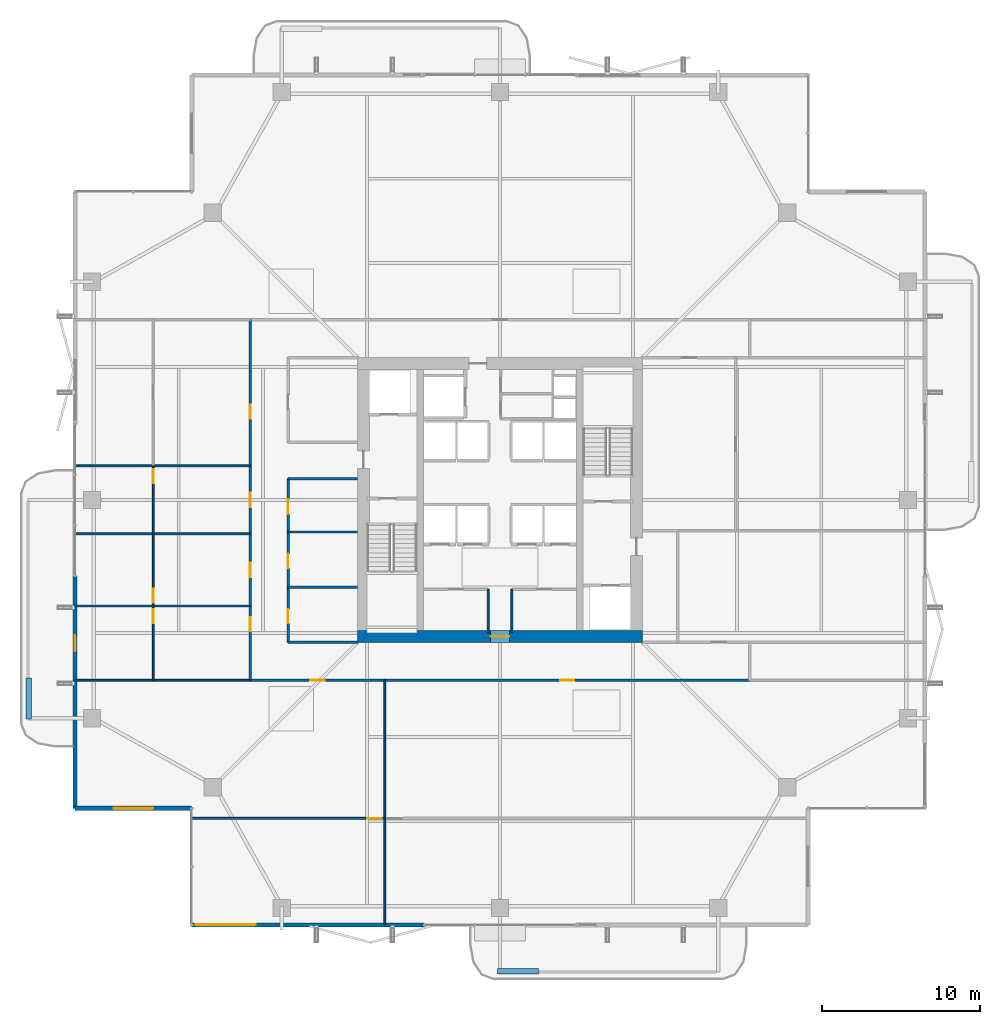
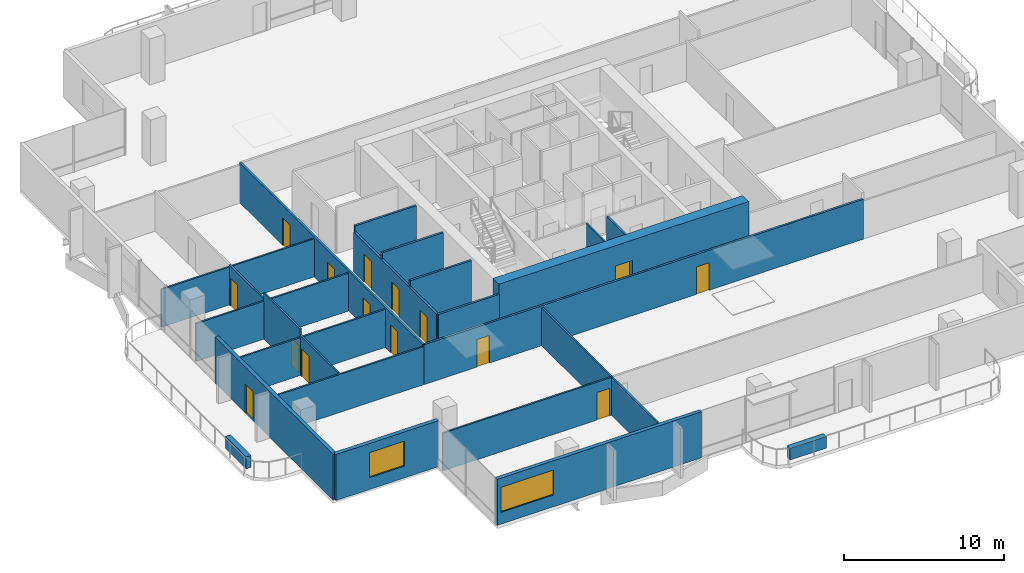
# One storey, part 22 of 29: 24 walls, 15 doors, 2 windows, 17 openings.
"""IFC4 building model written with IfcOpenShell, lengths in metres."""

from ifc_helpers import new_model, si_unit, direction, frame, frame_2d, origin, place, context, subcontext, project, spatial, rectangle, extrude, material, layer, layer_set, type_object, element, fill, save


model = new_model("IFC4")

# Units and contexts
model_context = context("Model", 3, precision=1e-05, world=origin(), true_north=direction((0.0, 1.0)))
body_context = subcontext(model_context, "Body", "Model", "MODEL_VIEW")
ifc_project = project(units=[si_unit("LENGTHUNIT", "METRE"), si_unit("AREAUNIT", "SQUARE_METRE"), si_unit("VOLUMEUNIT", "CUBIC_METRE"), si_unit("PLANEANGLEUNIT", "RADIAN"), si_unit("MASSUNIT", "GRAM", prefix="KILO")], contexts=[model_context])

# Site, building, storey
site_placement = place(None, origin())
site = spatial("IfcSite", under=ifc_project, at=site_placement, CompositionType="ELEMENT")
building_placement = place(site_placement, origin())
building = spatial("IfcBuilding", under=site, at=building_placement, Name="Belovzor Exchange Tower", CompositionType="ELEMENT")
storey_placement = place(building_placement, frame((0.0, 0.0, 199.949951171875)))
storey = spatial("IfcBuildingStorey", under=building, at=storey_placement, Name="L49", CompositionType="ELEMENT", Elevation=199.949951171875)

# Wall, opening, door
ifc_material_1 = material(Name="Acoustic Plasterboard on Galvanised Studs", Category="gypsum")
ifc_layer_1 = layer(ifc_material_1, 0.1201171875)
ifc_layer_set_1 = layer_set([ifc_layer_1], Name="Acoustic Plasterboard on Galvanised Studs")
wall_type_1 = type_object("IfcWallType", Name="Acoustic Double-Stud Partition Wall 120", PredefinedType="PARTITIONING", material=ifc_layer_set_1)
wall_1_placement = place(storey_placement, frame((9.300048828125, 8.6650390625, 0.0), z_axis=(0.0, 0.0, 1.0), x_axis=(1.0, 0.0, 0.0)))
wall_1 = element("IfcWall", 1, at=wall_1_placement, inside=storey, type_object=wall_type_1, Name="W-P120 Partition Wall W-L49-SHDIV-0", PredefinedType="PARTITIONING", context=body_context, shape_type="SweptSolid", body=[
    extrude(rectangle(XDim=12.2099609375, YDim=0.1201171875, at=frame_2d((6.10498046875, 0.0))), origin(), (0.0, 0.0, 1.0), 2.885009765625),
])
opening_1_placement = place(wall_1_placement, frame((11.110107421875, 0.0, 0.0)))
opening_1 = element("IfcOpeningElement", 2, at=opening_1_placement, cuts=wall_1, Name="Opening D-INT-090", PredefinedType="OPENING", context=body_context, shape_type="SweptSolid", body=[
    extrude(rectangle(XDim=0.89990234375, YDim=2.10009765625, at=frame_2d((0.449951171875, 1.050048828125))), frame((0.0, 0.070068359375, 0.0), z_axis=(0.0, -1.0, 0.0), x_axis=(1.0, 0.0, 0.0)), (0.0, 0.0, 1.0), 0.14013671875),
])
ifc_material_2 = material(Name="Veneered Hardwood Acoustic Leaf", Category="wood")
door_type_1 = type_object("IfcDoorType", Name="Trading Suite Acoustic Single Door 900x2100", OperationType="NOTDEFINED", PredefinedType="DOOR", material=ifc_material_2)
door_1_placement = place(opening_1_placement, origin())
door_1 = element("IfcDoor", 3, at=door_1_placement, inside=storey, type_object=door_type_1, Name="D-INT-090 Trading Suite Acoustic Single Door 900x2100", OperationType="SINGLE_SWING_LEFT", OverallHeight=2.10009765625, OverallWidth=0.89990234375, PredefinedType="DOOR", context=body_context, shape_type="SweptSolid", body=[
    extrude(rectangle(XDim=0.89990234375, YDim=2.10009765625, at=frame_2d((0.449951171875, 1.050048828125))), frame((0.0, 0.02490234375, 0.0), z_axis=(0.0, -1.0, 0.0), x_axis=(1.0, 0.0, 0.0)), (0.0, 0.0, 1.0), 0.050048828125),
])
fill(opening_1, door_1)

# Wall
wall_2_placement = place(storey_placement, frame((21.510009765625, 1.929931640625, 0.0), z_axis=(0.0, 0.0, 1.0), x_axis=(0.0, 1.0, 0.0)))
element("IfcWall", 4, at=wall_2_placement, inside=storey, type_object=wall_type_1, Name="W-P120 Partition Wall W-L49-SDIV-1", PredefinedType="PARTITIONING", context=body_context, shape_type="SweptSolid", body=[
    extrude(rectangle(XDim=15.469970703125, YDim=0.1201171875, at=frame_2d((7.73486328125, 0.0))), origin(), (0.0, 0.0, 1.0), 2.885009765625),
])

# Wall, opening, door
wall_3_placement = place(storey_placement, frame((6.876953125, 17.39990234375, 0.0), z_axis=(0.0, 0.0, 1.0), x_axis=(0.0, 1.0, 0.0)))
wall_3 = element("IfcWall", 5, at=wall_3_placement, inside=storey, type_object=wall_type_1, Name="W-P120 Partition Wall W-L49-WHDIV-0", PredefinedType="PARTITIONING", context=body_context, shape_type="SweptSolid", body=[
    extrude(rectangle(XDim=4.7001953125, YDim=0.1201171875, at=frame_2d((2.35009765625, 0.0))), origin(), (0.0, 0.0, 1.0), 3.03515625),
])
opening_2_placement = place(wall_3_placement, frame((3.60009765625, 0.0, 0.0)))
opening_2 = element("IfcOpeningElement", 6, at=opening_2_placement, cuts=wall_3, Name="Opening D-INT-090", PredefinedType="OPENING", context=body_context, shape_type="SweptSolid", body=[
    extrude(rectangle(XDim=0.89990234375, YDim=2.10009765625, at=frame_2d((0.449951171875, 1.050048828125))), frame((0.0, 0.070068359375, 0.0), z_axis=(0.0, -1.0, 0.0), x_axis=(1.0, 0.0, 0.0)), (0.0, 0.0, 1.0), 0.14013671875),
])
door_2_placement = place(opening_2_placement, origin())
door_2 = element("IfcDoor", 7, at=door_2_placement, inside=storey, type_object=door_type_1, Name="D-INT-090 Trading Suite Acoustic Single Door 900x2100", OperationType="SINGLE_SWING_LEFT", OverallHeight=2.10009765625, OverallWidth=0.89990234375, PredefinedType="DOOR", context=body_context, shape_type="SweptSolid", body=[
    extrude(rectangle(XDim=0.89990234375, YDim=2.10009765625, at=frame_2d((0.449951171875, 1.050048828125))), frame((0.0, 0.02490234375, 0.0), z_axis=(0.0, -1.0, 0.0), x_axis=(1.0, 0.0, 0.0)), (0.0, 0.0, 1.0), 0.050048828125),
])
fill(opening_2, door_2)

# Wall
wall_4_placement = place(storey_placement, frame((1.929931640625, 22.10009765625, 0.0), z_axis=(0.0, 0.0, 1.0), x_axis=(1.0, 0.0, 0.0)))
element("IfcWall", 8, at=wall_4_placement, inside=storey, type_object=wall_type_1, Name="W-P120 Partition Wall W-L49-WDIV-1", PredefinedType="PARTITIONING", context=body_context, shape_type="SweptSolid", body=[
    extrude(rectangle(XDim=11.070068359375, YDim=0.1201171875, at=frame_2d((5.53515625, 0.0))), origin(), (0.0, 0.0, 1.0), 2.885009765625),
])

# Wall, opening, door
wall_5_placement = place(storey_placement, frame((6.876953125, 22.10009765625, 0.0), z_axis=(0.0, 0.0, 1.0), x_axis=(0.0, 1.0, 0.0)))
wall_5 = element("IfcWall", 9, at=wall_5_placement, inside=storey, type_object=wall_type_1, Name="W-P120 Partition Wall W-L49-WHDIV-1", PredefinedType="PARTITIONING", context=body_context, shape_type="SweptSolid", body=[
    extrude(rectangle(XDim=4.557861328125, YDim=0.1201171875, at=frame_2d((2.27880859375, 0.0))), origin(), (0.0, 0.0, 1.0), 3.5),
])
opening_3_placement = place(wall_5_placement, frame((0.199951171875, 0.0, 0.0)))
opening_3 = element("IfcOpeningElement", 10, at=opening_3_placement, cuts=wall_5, Name="Opening D-INT-090", PredefinedType="OPENING", context=body_context, shape_type="SweptSolid", body=[
    extrude(rectangle(XDim=0.89990234375, YDim=2.10009765625, at=frame_2d((0.449951171875, 1.050048828125))), frame((0.0, 0.070068359375, 0.0), z_axis=(0.0, -1.0, 0.0), x_axis=(1.0, 0.0, 0.0)), (0.0, 0.0, 1.0), 0.14013671875),
])
door_3_placement = place(opening_3_placement, origin())
door_3 = element("IfcDoor", 11, at=door_3_placement, inside=storey, type_object=door_type_1, Name="D-INT-090 Trading Suite Acoustic Single Door 900x2100", OperationType="SINGLE_SWING_LEFT", OverallHeight=2.10009765625, OverallWidth=0.89990234375, PredefinedType="DOOR", context=body_context, shape_type="SweptSolid", body=[
    extrude(rectangle(XDim=0.89990234375, YDim=2.10009765625, at=frame_2d((0.449951171875, 1.050048828125))), frame((0.0, 0.02490234375, 0.0), z_axis=(0.0, -1.0, 0.0), x_axis=(1.0, 0.0, 0.0)), (0.0, 0.0, 1.0), 0.050048828125),
])
fill(opening_3, door_3)

# Wall
wall_6_placement = place(storey_placement, frame((1.929931640625, 26.657958984375, 0.0), z_axis=(0.0, 0.0, 1.0), x_axis=(1.0, 0.0, 0.0)))
element("IfcWall", 12, at=wall_6_placement, inside=storey, type_object=wall_type_1, Name="W-P120 Partition Wall W-L49-WDIV-2", PredefinedType="PARTITIONING", context=body_context, shape_type="SweptSolid", body=[
    extrude(rectangle(XDim=11.070068359375, YDim=0.1201171875, at=frame_2d((5.53515625, 0.0))), origin(), (0.0, 0.0, 1.0), 2.885009765625),
])

# Wall, opening, door
wall_7_placement = place(storey_placement, frame((6.876953125, 26.657958984375, 0.0), z_axis=(0.0, 0.0, 1.0), x_axis=(0.0, 1.0, 0.0)))
wall_7 = element("IfcWall", 13, at=wall_7_placement, inside=storey, type_object=wall_type_1, Name="W-P120 Partition Wall W-L49-WHDIV-2", PredefinedType="PARTITIONING", context=body_context, shape_type="SweptSolid", body=[
    extrude(rectangle(XDim=4.297119140625, YDim=0.1201171875, at=frame_2d((2.1484375, 0.0))), origin(), (0.0, 0.0, 1.0), 3.03515625),
])
opening_4_placement = place(wall_7_placement, frame((3.197021484375, 0.0, 0.0)))
opening_4 = element("IfcOpeningElement", 14, at=opening_4_placement, cuts=wall_7, Name="Opening D-INT-090", PredefinedType="OPENING", context=body_context, shape_type="SweptSolid", body=[
    extrude(rectangle(XDim=0.89990234375, YDim=2.10009765625, at=frame_2d((0.449951171875, 1.050048828125))), frame((0.0, 0.070068359375, 0.0), z_axis=(0.0, -1.0, 0.0), x_axis=(1.0, 0.0, 0.0)), (0.0, 0.0, 1.0), 0.14013671875),
])
door_4_placement = place(opening_4_placement, origin())
door_4 = element("IfcDoor", 15, at=door_4_placement, inside=storey, type_object=door_type_1, Name="D-INT-090 Trading Suite Acoustic Single Door 900x2100", OperationType="SINGLE_SWING_LEFT", OverallHeight=2.10009765625, OverallWidth=0.89990234375, PredefinedType="DOOR", context=body_context, shape_type="SweptSolid", body=[
    extrude(rectangle(XDim=0.89990234375, YDim=2.10009765625, at=frame_2d((0.449951171875, 1.050048828125))), frame((0.0, 0.02490234375, 0.0), z_axis=(0.0, -1.0, 0.0), x_axis=(1.0, 0.0, 0.0)), (0.0, 0.0, 1.0), 0.050048828125),
])
fill(opening_4, door_4)

# Walls
for number, where, z_axis, x_axis, name in (
    (16, (1.929931640625, 30.955078125, 0.0), (0.0, 0.0, 1.0), (1.0, 0.0, 0.0), "W-P120 Partition Wall W-L49-WDIV-3"),
    (17, (1.929931640625, 17.39990234375, 0.0), (0.0, 0.0, 1.0), (1.0, 0.0, 0.0), "W-P120 Partition Wall W-L49-END-SW"),
):
    element("IfcWall", number, at=place(storey_placement, frame(where, z_axis=z_axis, x_axis=x_axis)), inside=storey, type_object=wall_type_1, Name=name, PredefinedType="PARTITIONING", context=body_context, shape_type="SweptSolid", body=[
        extrude(rectangle(XDim=11.070068359375, YDim=0.1201171875, at=frame_2d((5.53515625, 0.0))), origin(), (0.0, 0.0, 1.0), 2.885009765625),
    ])
ifc_material_3 = material(Name="Fire-Rated Plasterboard on Galvanised Studs", Category="gypsum")
ifc_layer_2 = layer(ifc_material_3, 0.1201171875)
ifc_layer_set_2 = layer_set([ifc_layer_2], Name="Fire-Rated Plasterboard on Galvanised Studs")
wall_type_2 = type_object("IfcWallType", Name="Fire-Rated Double-Stud Partition Wall 120", PredefinedType="PARTITIONING", material=ifc_layer_set_2)
for number, where, z_axis, x_axis, name in (
    (18, (28.050048828125, 20.39990234375, 0.0), (0.0, 0.0, 1.0), (0.0, 1.0, 0.0), "W-P120F Partition Wall W-CRL-L49-WE"),
    (19, (29.550048828125, 20.39990234375, 0.0), (0.0, 0.0, 1.0), (0.0, 1.0, 0.0), "W-P120F Partition Wall W-CRL-L49-EW"),
):
    element("IfcWall", number, at=place(storey_placement, frame(where, z_axis=z_axis, x_axis=x_axis)), inside=storey, type_object=wall_type_2, Name=name, PredefinedType="PARTITIONING", context=body_context, shape_type="SweptSolid", body=[
        extrude(rectangle(XDim=2.75, YDim=0.1201171875, at=frame_2d((1.375, 0.0))), origin(), (0.0, 0.0, 1.0), 3.5),
    ])
ifc_material_4 = material(Name="Fire-Rated Gypsum Block and Mineral Wool", Category="gypsum")
ifc_layer_3 = layer(ifc_material_4, 0.14990234375)
ifc_layer_set_3 = layer_set([ifc_layer_3], Name="Fire-Rated Gypsum Block and Mineral Wool")
wall_type_3 = type_object("IfcWallType", Name="Fire-Rated Gypsum Block Corridor Wall 150", PredefinedType="PARTITIONING", material=ifc_layer_set_3)
wall_8_placement = place(storey_placement, frame((15.39990234375, 19.800048828125, 0.0), z_axis=(0.0, 0.0, 1.0), x_axis=(1.0, 0.0, 0.0)))
element("IfcWall", 20, at=wall_8_placement, inside=storey, type_object=wall_type_3, Name="W-P150 Partition Wall W-L49-WIC-S", PredefinedType="PARTITIONING", context=body_context, shape_type="SweptSolid", body=[
    extrude(rectangle(XDim=4.400146484375, YDim=0.14990234375, at=frame_2d((2.2001953125, 0.0))), origin(), (0.0, 0.0, 1.0), 3.03515625),
])
for number, where, z_axis, x_axis, name in (
    (21, (15.39990234375, 23.27490234375, 0.0), (0.0, 0.0, 1.0), (1.0, 0.0, 0.0), "W-P150 Partition Wall W-L49-WIC-D1"),
    (22, (15.39990234375, 26.77490234375, 0.0), (0.0, 0.0, 1.0), (1.0, 0.0, 0.0), "W-P150 Partition Wall W-L49-WIC-D2"),
    (23, (15.39990234375, 30.14990234375, 0.0), (0.0, 0.0, 1.0), (1.0, 0.0, 0.0), "W-P150 Partition Wall W-L49-WIC-N"),
):
    element("IfcWall", number, at=place(storey_placement, frame(where, z_axis=z_axis, x_axis=x_axis)), inside=storey, type_object=wall_type_3, Name=name, PredefinedType="PARTITIONING", context=body_context, shape_type="SweptSolid", body=[
        extrude(rectangle(XDim=4.400146484375, YDim=0.14990234375, at=frame_2d((2.2001953125, 0.0))), origin(), (0.0, 0.0, 1.0), 3.5),
    ])

# Wall, openings, doors
wall_9_placement = place(storey_placement, frame((15.39990234375, 19.800048828125, 0.0), z_axis=(0.0, 0.0, 1.0), x_axis=(0.0, 1.0, 0.0)))
wall_9 = element("IfcWall", 24, at=wall_9_placement, inside=storey, type_object=wall_type_3, Name="W-P150 Partition Wall W-L49-WIE-S", PredefinedType="PARTITIONING", context=body_context, shape_type="SweptSolid", body=[
    extrude(rectangle(XDim=10.349853515625, YDim=0.14990234375, at=frame_2d((5.1748046875, 0.0))), origin(), (0.0, 0.0, 1.0), 3.03515625),
])
opening_5_placement = place(wall_9_placement, frame((1.199951171875, 0.0, 0.0)))
opening_5 = element("IfcOpeningElement", 25, at=opening_5_placement, cuts=wall_9, Name="Opening D-FD60-090", PredefinedType="OPENING", context=body_context, shape_type="SweptSolid", body=[
    extrude(rectangle(XDim=0.89990234375, YDim=2.10009765625, at=frame_2d((0.449951171875, 1.050048828125))), frame((0.0, 0.0849609375, 0.0), z_axis=(0.0, -1.0, 0.0), x_axis=(1.0, 0.0, 0.0)), (0.0, 0.0, 1.0), 0.169921875),
])
opening_6_placement = place(wall_9_placement, frame((4.699951171875, 0.0, 0.0)))
opening_6 = element("IfcOpeningElement", 26, at=opening_6_placement, cuts=wall_9, Name="Opening D-FD60-090", PredefinedType="OPENING", context=body_context, shape_type="SweptSolid", body=[
    extrude(rectangle(XDim=0.89990234375, YDim=2.10009765625, at=frame_2d((0.449951171875, 1.050048828125))), frame((0.0, 0.0849609375, 0.0), z_axis=(0.0, -1.0, 0.0), x_axis=(1.0, 0.0, 0.0)), (0.0, 0.0, 1.0), 0.169921875),
])
opening_7_placement = place(wall_9_placement, frame((8.10009765625, 0.0, 0.0)))
opening_7 = element("IfcOpeningElement", 27, at=opening_7_placement, cuts=wall_9, Name="Opening D-FD60-095", PredefinedType="OPENING", context=body_context, shape_type="SweptSolid", body=[
    extrude(rectangle(XDim=0.949951171875, YDim=2.10009765625, at=frame_2d((0.47509765625, 1.050048828125))), frame((0.0, 0.0849609375, 0.0), z_axis=(0.0, -1.0, 0.0), x_axis=(1.0, 0.0, 0.0)), (0.0, 0.0, 1.0), 0.169921875),
])
ifc_material_5 = material(Name="Moisture-Resistant Timber Fire Leaf", Category="wood")
door_type_2 = type_object("IfcDoorType", Name="Accessible Restroom Wide Fire Door 950x2100", OperationType="NOTDEFINED", PredefinedType="DOOR", material=ifc_material_5)
door_5_placement = place(opening_7_placement, origin())
door_5 = element("IfcDoor", 28, at=door_5_placement, inside=storey, type_object=door_type_2, Name="D-FD60-095 Accessible Restroom Wide Fire Door 950x2100", OperationType="SINGLE_SWING_LEFT", OverallHeight=2.10009765625, OverallWidth=0.949951171875, PredefinedType="DOOR", context=body_context, shape_type="SweptSolid", body=[
    extrude(rectangle(XDim=0.949951171875, YDim=2.10009765625, at=frame_2d((0.47509765625, 1.050048828125))), frame((0.0, 0.02490234375, 0.0), z_axis=(0.0, -1.0, 0.0), x_axis=(1.0, 0.0, 0.0)), (0.0, 0.0, 1.0), 0.050048828125),
])
fill(opening_7, door_5)
ifc_material_6 = material(Name="Acoustic Timber Fire Leaf", Category="wood")
door_type_3 = type_object("IfcDoorType", Name="Core Service & Restroom Fire Door 900x2100", OperationType="NOTDEFINED", PredefinedType="DOOR", material=ifc_material_6)
door_6_placement = place(opening_5_placement, origin())
door_6 = element("IfcDoor", 29, at=door_6_placement, inside=storey, type_object=door_type_3, Name="D-FD60-090 Core Service & Restroom Fire Door 900x2100", OperationType="SINGLE_SWING_LEFT", OverallHeight=2.10009765625, OverallWidth=0.89990234375, PredefinedType="DOOR", context=body_context, shape_type="SweptSolid", body=[
    extrude(rectangle(XDim=0.89990234375, YDim=2.10009765625, at=frame_2d((0.449951171875, 1.050048828125))), frame((0.0, 0.02490234375, 0.0), z_axis=(0.0, -1.0, 0.0), x_axis=(1.0, 0.0, 0.0)), (0.0, 0.0, 1.0), 0.050048828125),
])
fill(opening_5, door_6)
door_7_placement = place(opening_6_placement, origin())
door_7 = element("IfcDoor", 30, at=door_7_placement, inside=storey, type_object=door_type_3, Name="D-FD60-090 Core Service & Restroom Fire Door 900x2100", OperationType="SINGLE_SWING_RIGHT", OverallHeight=2.10009765625, OverallWidth=0.89990234375, PredefinedType="DOOR", context=body_context, shape_type="SweptSolid", body=[
    extrude(rectangle(XDim=0.89990234375, YDim=2.10009765625, at=frame_2d((0.449951171875, 1.050048828125))), frame((0.0, 0.02490234375, 0.0), z_axis=(0.0, -1.0, 0.0), x_axis=(1.0, 0.0, 0.0)), (0.0, 0.0, 1.0), 0.050048828125),
])
fill(opening_6, door_7)

wall_10_placement = place(storey_placement, frame((13.0, 17.39990234375, 0.0), z_axis=(0.0, 0.0, 1.0), x_axis=(1.0, 0.0, 0.0)))
wall_10 = element("IfcWall", 31, at=wall_10_placement, inside=storey, type_object=wall_type_3, Name="W-P150 Partition Wall W-L49-CS", PredefinedType="PARTITIONING", context=body_context, shape_type="SweptSolid", body=[
    extrude(rectangle(XDim=31.60009765625, YDim=0.14990234375, at=frame_2d((15.800048828125, 0.0))), origin(), (0.0, 0.0, 1.0), 3.03515625),
])
opening_8_placement = place(wall_10_placement, frame((3.804931640625, 0.0, 0.0)))
opening_8 = element("IfcOpeningElement", 32, at=opening_8_placement, cuts=wall_10, Name="Opening D-INT-090", PredefinedType="OPENING", context=body_context, shape_type="SweptSolid", body=[
    extrude(rectangle(XDim=0.89990234375, YDim=2.10009765625, at=frame_2d((0.449951171875, 1.050048828125))), frame((0.0, 0.0849609375, 0.0), z_axis=(0.0, -1.0, 0.0), x_axis=(1.0, 0.0, 0.0)), (0.0, 0.0, 1.0), 0.169921875),
])
opening_9_placement = place(wall_10_placement, frame((19.60498046875, 0.0, 0.0)))
opening_9 = element("IfcOpeningElement", 33, at=opening_9_placement, cuts=wall_10, Name="Opening D-INT-090", PredefinedType="OPENING", context=body_context, shape_type="SweptSolid", body=[
    extrude(rectangle(XDim=0.89990234375, YDim=2.10009765625, at=frame_2d((0.449951171875, 1.050048828125))), frame((0.0, 0.0849609375, 0.0), z_axis=(0.0, -1.0, 0.0), x_axis=(1.0, 0.0, 0.0)), (0.0, 0.0, 1.0), 0.169921875),
])
door_8_placement = place(opening_8_placement, origin())
door_8 = element("IfcDoor", 34, at=door_8_placement, inside=storey, type_object=door_type_1, Name="D-INT-090 Trading Suite Acoustic Single Door 900x2100", OperationType="SINGLE_SWING_RIGHT", OverallHeight=2.10009765625, OverallWidth=0.89990234375, PredefinedType="DOOR", context=body_context, shape_type="SweptSolid", body=[
    extrude(rectangle(XDim=0.89990234375, YDim=2.10009765625, at=frame_2d((0.449951171875, 1.050048828125))), frame((0.0, 0.02490234375, 0.0), z_axis=(0.0, -1.0, 0.0), x_axis=(1.0, 0.0, 0.0)), (0.0, 0.0, 1.0), 0.050048828125),
])
fill(opening_8, door_8)
door_9_placement = place(opening_9_placement, origin())
door_9 = element("IfcDoor", 35, at=door_9_placement, inside=storey, type_object=door_type_1, Name="D-INT-090 Trading Suite Acoustic Single Door 900x2100", OperationType="SINGLE_SWING_LEFT", OverallHeight=2.10009765625, OverallWidth=0.89990234375, PredefinedType="DOOR", context=body_context, shape_type="SweptSolid", body=[
    extrude(rectangle(XDim=0.89990234375, YDim=2.10009765625, at=frame_2d((0.449951171875, 1.050048828125))), frame((0.0, 0.02490234375, 0.0), z_axis=(0.0, -1.0, 0.0), x_axis=(1.0, 0.0, 0.0)), (0.0, 0.0, 1.0), 0.050048828125),
])
fill(opening_9, door_9)

wall_11_placement = place(storey_placement, frame((13.0, 17.39990234375, 0.0), z_axis=(0.0, 0.0, 1.0), x_axis=(0.0, 1.0, 0.0)))
wall_11 = element("IfcWall", 36, at=wall_11_placement, inside=storey, type_object=wall_type_3, Name="W-P150 Partition Wall W-L49-CWO", PredefinedType="PARTITIONING", context=body_context, shape_type="SweptSolid", body=[
    extrude(rectangle(XDim=22.800048828125, YDim=0.14990234375, at=frame_2d((11.39990234375, 0.0))), origin(), (0.0, 0.0, 1.0), 3.03515625),
])
opening_10_placement = place(wall_11_placement, frame((3.10009765625, 0.0, 0.0)))
opening_10 = element("IfcOpeningElement", 37, at=opening_10_placement, cuts=wall_11, Name="Opening D-INT-090", PredefinedType="OPENING", context=body_context, shape_type="SweptSolid", body=[
    extrude(rectangle(XDim=0.89990234375, YDim=2.10009765625, at=frame_2d((0.449951171875, 1.050048828125))), frame((0.0, 0.0849609375, 0.0), z_axis=(0.0, -1.0, 0.0), x_axis=(1.0, 0.0, 0.0)), (0.0, 0.0, 1.0), 0.169921875),
])
opening_11_placement = place(wall_11_placement, frame((6.529052734375, 0.0, 0.0)))
opening_11 = element("IfcOpeningElement", 38, at=opening_11_placement, cuts=wall_11, Name="Opening D-INT-090", PredefinedType="OPENING", context=body_context, shape_type="SweptSolid", body=[
    extrude(rectangle(XDim=0.89990234375, YDim=2.10009765625, at=frame_2d((0.449951171875, 1.050048828125))), frame((0.0, 0.0849609375, 0.0), z_axis=(0.0, -1.0, 0.0), x_axis=(1.0, 0.0, 0.0)), (0.0, 0.0, 1.0), 0.169921875),
])
opening_12_placement = place(wall_11_placement, frame((10.95703125, 0.0, 0.0)))
opening_12 = element("IfcOpeningElement", 39, at=opening_12_placement, cuts=wall_11, Name="Opening D-INT-090", PredefinedType="OPENING", context=body_context, shape_type="SweptSolid", body=[
    extrude(rectangle(XDim=0.89990234375, YDim=2.10009765625, at=frame_2d((0.449951171875, 1.050048828125))), frame((0.0, 0.0849609375, 0.0), z_axis=(0.0, -1.0, 0.0), x_axis=(1.0, 0.0, 0.0)), (0.0, 0.0, 1.0), 0.169921875),
])
opening_13_placement = place(wall_11_placement, frame((16.527099609375, 0.0, 0.0)))
opening_13 = element("IfcOpeningElement", 40, at=opening_13_placement, cuts=wall_11, Name="Opening D-INT-090", PredefinedType="OPENING", context=body_context, shape_type="SweptSolid", body=[
    extrude(rectangle(XDim=0.89990234375, YDim=2.10009765625, at=frame_2d((0.449951171875, 1.050048828125))), frame((0.0, 0.0849609375, 0.0), z_axis=(0.0, -1.0, 0.0), x_axis=(1.0, 0.0, 0.0)), (0.0, 0.0, 1.0), 0.169921875),
])
door_10_placement = place(opening_10_placement, origin())
door_10 = element("IfcDoor", 41, at=door_10_placement, inside=storey, type_object=door_type_1, Name="D-INT-090 Trading Suite Acoustic Single Door 900x2100", OperationType="SINGLE_SWING_LEFT", OverallHeight=2.10009765625, OverallWidth=0.89990234375, PredefinedType="DOOR", context=body_context, shape_type="SweptSolid", body=[
    extrude(rectangle(XDim=0.89990234375, YDim=2.10009765625, at=frame_2d((0.449951171875, 1.050048828125))), frame((0.0, 0.02490234375, 0.0), z_axis=(0.0, -1.0, 0.0), x_axis=(1.0, 0.0, 0.0)), (0.0, 0.0, 1.0), 0.050048828125),
])
fill(opening_10, door_10)
door_11_placement = place(opening_11_placement, origin())
door_11 = element("IfcDoor", 42, at=door_11_placement, inside=storey, type_object=door_type_1, Name="D-INT-090 Trading Suite Acoustic Single Door 900x2100", OperationType="SINGLE_SWING_LEFT", OverallHeight=2.10009765625, OverallWidth=0.89990234375, PredefinedType="DOOR", context=body_context, shape_type="SweptSolid", body=[
    extrude(rectangle(XDim=0.89990234375, YDim=2.10009765625, at=frame_2d((0.449951171875, 1.050048828125))), frame((0.0, 0.02490234375, 0.0), z_axis=(0.0, -1.0, 0.0), x_axis=(1.0, 0.0, 0.0)), (0.0, 0.0, 1.0), 0.050048828125),
])
fill(opening_11, door_11)
door_12_placement = place(opening_12_placement, origin())
door_12 = element("IfcDoor", 43, at=door_12_placement, inside=storey, type_object=door_type_1, Name="D-INT-090 Trading Suite Acoustic Single Door 900x2100", OperationType="SINGLE_SWING_LEFT", OverallHeight=2.10009765625, OverallWidth=0.89990234375, PredefinedType="DOOR", context=body_context, shape_type="SweptSolid", body=[
    extrude(rectangle(XDim=0.89990234375, YDim=2.10009765625, at=frame_2d((0.449951171875, 1.050048828125))), frame((0.0, 0.02490234375, 0.0), z_axis=(0.0, -1.0, 0.0), x_axis=(1.0, 0.0, 0.0)), (0.0, 0.0, 1.0), 0.050048828125),
])
fill(opening_12, door_12)
door_13_placement = place(opening_13_placement, origin())
door_13 = element("IfcDoor", 44, at=door_13_placement, inside=storey, type_object=door_type_1, Name="D-INT-090 Trading Suite Acoustic Single Door 900x2100", OperationType="SINGLE_SWING_LEFT", OverallHeight=2.10009765625, OverallWidth=0.89990234375, PredefinedType="DOOR", context=body_context, shape_type="SweptSolid", body=[
    extrude(rectangle(XDim=0.89990234375, YDim=2.10009765625, at=frame_2d((0.449951171875, 1.050048828125))), frame((0.0, 0.02490234375, 0.0), z_axis=(0.0, -1.0, 0.0), x_axis=(1.0, 0.0, 0.0)), (0.0, 0.0, 1.0), 0.050048828125),
])
fill(opening_13, door_13)

# Wall, opening, window
ifc_material_7 = material(Name="Precast concrete C40/50", Category="concrete")
ifc_layer_4 = layer(ifc_material_7, 0.280029296875)
ifc_layer_set_4 = layer_set([ifc_layer_4], Name="Precast concrete C40/50")
wall_type_4 = type_object("IfcWallType", Name="Precast Concrete Notched Corner Frame Wall 280", PredefinedType="SOLIDWALL", material=ifc_layer_set_4)
wall_12_placement = place(storey_placement, frame((9.300048828125, 9.300048828125, 0.0), z_axis=(0.0, 0.0, 1.0), x_axis=(-1.0, 0.0, 0.0)))
wall_12 = element("IfcWall", 45, at=wall_12_placement, inside=storey, type_object=wall_type_4, Name="W-CRN280 Precast Concrete Notched Corner Frame Wall 280 L49", PredefinedType="SOLIDWALL", context=body_context, shape_type="SweptSolid", body=[
    extrude(rectangle(XDim=7.3701171875, YDim=0.280029296875, at=frame_2d((3.68505859375, 0.0))), origin(), (0.0, 0.0, 1.0), 3.5),
])
opening_14_placement = place(wall_12_placement, frame((2.43505859375, 0.0, 0.89990234375)))
opening_14 = element("IfcOpeningElement", 46, at=opening_14_placement, cuts=wall_12, Name="Opening WN-CRN250", PredefinedType="OPENING", context=body_context, shape_type="SweptSolid", body=[
    extrude(rectangle(XDim=2.5, YDim=1.89990234375, at=frame_2d((1.25, 0.949951171875))), frame((0.0, 0.14990234375, 0.0), z_axis=(0.0, -1.0, 0.0), x_axis=(1.0, 0.0, 0.0)), (0.0, 0.0, 1.0), 0.300048828125),
])
ifc_material_8 = material(Name="Thermally Broken Aluminium and Triple Glazing", Category="aluminium")
window_type_1 = type_object("IfcWindowType", Name="Streamline Moderne Corner Wrap Ribbon Window 2500x1900", PartitioningType="SINGLE_PANEL", PredefinedType="WINDOW", material=ifc_material_8)
window_1_placement = place(opening_14_placement, origin())
window_1 = element("IfcWindow", 47, at=window_1_placement, inside=storey, type_object=window_type_1, Name="WN-CRN250 Streamline Moderne Corner Wrap Ribbon Window 2500x1900", OverallHeight=1.89990234375, OverallWidth=2.5, PartitioningType="SINGLE_PANEL", PredefinedType="WINDOW", context=body_context, shape_type="SweptSolid", body=[
    extrude(rectangle(XDim=2.5, YDim=1.89990234375, at=frame_2d((1.25, 0.949951171875))), frame((0.0, 0.030029296875, 0.0), z_axis=(0.0, -1.0, 0.0), x_axis=(1.0, 0.0, 0.0)), (0.0, 0.0, 1.0), 0.06005859375),
])
fill(opening_14, window_1)

ifc_material_9 = material(Name="Precast concrete C40/50", Category="concrete")
ifc_layer_5 = layer(ifc_material_9, 0.260009765625)
ifc_layer_set_5 = layer_set([ifc_layer_5], Name="Precast concrete C40/50")
wall_type_5 = type_object("IfcWallType", Name="Precast Concrete Perimeter Loggia Frame Wall 260", PredefinedType="SOLIDWALL", material=ifc_layer_set_5)
wall_13_placement = place(storey_placement, frame((24.0, 1.929931640625, 0.0), z_axis=(0.0, 0.0, 1.0), x_axis=(-1.0, 0.0, 0.0)))
wall_13 = element("IfcWall", 48, at=wall_13_placement, inside=storey, type_object=wall_type_5, Name="W-EXT260 Precast Concrete Perimeter Loggia Frame Wall 260 L49", PredefinedType="SOLIDWALL", context=body_context, shape_type="SweptSolid", body=[
    extrude(rectangle(XDim=14.699951171875, YDim=0.260009765625, at=frame_2d((7.35009765625, 0.0))), origin(), (0.0, 0.0, 1.0), 3.5),
])
opening_15_placement = place(wall_13_placement, frame((10.64990234375, 0.0, 0.89990234375)))
opening_15 = element("IfcOpeningElement", 49, at=opening_15_placement, cuts=wall_13, Name="Opening WN-RIB380", PredefinedType="OPENING", context=body_context, shape_type="SweptSolid", body=[
    extrude(rectangle(XDim=3.800048828125, YDim=1.89990234375, at=frame_2d((1.89990234375, 0.949951171875))), frame((0.0, 0.139892578125, 0.0), z_axis=(0.0, -1.0, 0.0), x_axis=(1.0, 0.0, 0.0)), (0.0, 0.0, 1.0), 0.280029296875),
])
ifc_material_10 = material(Name="Thermally Broken Aluminium and Triple Glazing", Category="aluminium")
window_type_2 = type_object("IfcWindowType", Name="Streamline Moderne Horizontal Ribbon Window 3800x1900", PartitioningType="SINGLE_PANEL", PredefinedType="WINDOW", material=ifc_material_10)
window_2_placement = place(opening_15_placement, origin())
window_2 = element("IfcWindow", 50, at=window_2_placement, inside=storey, type_object=window_type_2, Name="WN-RIB380 Streamline Moderne Horizontal Ribbon Window 3800x1900", OverallHeight=1.89990234375, OverallWidth=3.800048828125, PartitioningType="SINGLE_PANEL", PredefinedType="WINDOW", context=body_context, shape_type="SweptSolid", body=[
    extrude(rectangle(XDim=3.800048828125, YDim=1.89990234375, at=frame_2d((1.89990234375, 0.949951171875))), frame((0.0, 0.030029296875, 0.0), z_axis=(0.0, -1.0, 0.0), x_axis=(1.0, 0.0, 0.0)), (0.0, 0.0, 1.0), 0.06005859375),
])
fill(opening_15, window_2)

# Wall, opening, door
wall_14_placement = place(storey_placement, frame((1.929931640625, 9.300048828125, 0.0), z_axis=(0.0, 0.0, 1.0), x_axis=(0.0, 1.0, 0.0)))
wall_14 = element("IfcWall", 51, at=wall_14_placement, inside=storey, type_object=wall_type_5, Name="W-EXT260 Precast Concrete Perimeter Loggia Frame Wall 260 L49", PredefinedType="SOLIDWALL", context=body_context, shape_type="SweptSolid", body=[
    extrude(rectangle(XDim=14.699951171875, YDim=0.260009765625, at=frame_2d((7.35009765625, 0.0))), origin(), (0.0, 0.0, 1.0), 3.5),
])
opening_16_placement = place(wall_14_placement, frame((9.93408203125, 0.0, 0.0)))
opening_16 = element("IfcOpeningElement", 52, at=opening_16_placement, cuts=wall_14, Name="Opening D-BAL100", PredefinedType="OPENING", context=body_context, shape_type="SweptSolid", body=[
    extrude(rectangle(XDim=1.0, YDim=2.199951171875, at=frame_2d((0.5, 1.10009765625))), frame((0.0, 0.139892578125, 0.0), z_axis=(0.0, -1.0, 0.0), x_axis=(1.0, 0.0, 0.0)), (0.0, 0.0, 1.0), 0.280029296875),
])
ifc_material_11 = material(Name="Thermally Broken Anodised Aluminium and Laminated Glass", Category="aluminium")
door_type_4 = type_object("IfcDoorType", Name="Planted Loggia Terrace Glazed Door 1000x2200", OperationType="SINGLE_SWING_LEFT", PredefinedType="DOOR", material=ifc_material_11)
door_14_placement = place(opening_16_placement, origin())
door_14 = element("IfcDoor", 53, at=door_14_placement, inside=storey, type_object=door_type_4, Name="D-BAL100 Balcony Terrace Door L49 W", OperationType="SINGLE_SWING_RIGHT", OverallHeight=2.199951171875, OverallWidth=1.0, PredefinedType="DOOR", context=body_context, shape_type="SweptSolid", body=[
    extrude(rectangle(XDim=1.0, YDim=2.199951171875, at=frame_2d((0.5, 1.10009765625))), frame((0.0, 0.02490234375, 0.0), z_axis=(0.0, -1.0, 0.0), x_axis=(1.0, 0.0, 0.0)), (0.0, 0.0, 1.0), 0.050048828125),
])
fill(opening_16, door_14)

# Walls
ifc_material_12 = material(Name="Precast concrete C40/50", Category="concrete")
ifc_layer_6 = layer(ifc_material_12, 0.35009765625)
ifc_layer_set_6 = layer_set([ifc_layer_6], Name="Precast concrete C40/50")
wall_type_6 = type_object("IfcWallType", Name="Precast Concrete Structural Tree Planter Trough 350", PredefinedType="PARAPET", material=ifc_layer_set_6)
for number, where, z_axis, x_axis, name in (
    (54, (28.64990234375, -1.0, 0.0), (0.0, 0.0, 1.0), (1.0, 0.0, 0.0), "PT-350 Precast Concrete Structural Tree Planter Trough 350 L49"),
    (55, (-1.0, 14.949951171875, 0.0), (0.0, 0.0, 1.0), (0.0, 1.0, 0.0), "PT-350 Precast Concrete Structural Tree Planter Trough 350 L49"),
):
    element("IfcWall", number, at=place(storey_placement, frame(where, z_axis=z_axis, x_axis=x_axis)), inside=storey, type_object=wall_type_6, Name=name, PredefinedType="PARAPET", context=body_context, shape_type="SweptSolid", body=[
        extrude(rectangle(XDim=2.60009765625, YDim=0.35009765625, at=frame_2d((1.300048828125, 0.0))), origin(), (0.0, 0.0, 1.0), 0.900146484375),
    ])

# Wall, opening, door
ifc_material_13 = material(Name="Concrete C50/60", Category="concrete")
ifc_layer_7 = layer(ifc_material_13, 0.75)
ifc_layer_set_7 = layer_set([ifc_layer_7], Name="Concrete C50/60")
wall_type_7 = type_object("IfcWallType", Name="Reinforced Concrete Core Shear Wall 750", PredefinedType="SHEAR", material=ifc_layer_set_7)
wall_15_placement = place(storey_placement, frame((19.800048828125, 20.175048828125, 0.0), z_axis=(0.0, 0.0, 1.0), x_axis=(1.0, 0.0, 0.0)))
wall_15 = element("IfcWall", 56, at=wall_15_placement, inside=storey, type_object=wall_type_7, Name="CW-S075 Core Shear Wall L49 S", PredefinedType="SHEAR", context=body_context, shape_type="SweptSolid", body=[
    extrude(rectangle(XDim=18.0, YDim=0.75, at=frame_2d((9.0, 0.0))), origin(), (0.0, 0.0, 1.0), 3.75),
])
opening_17_placement = place(wall_15_placement, frame((8.39990234375, 0.0, 0.0)))
opening_17 = element("IfcOpeningElement", 57, at=opening_17_placement, cuts=wall_15, Name="Opening D-FD90-120", PredefinedType="OPENING", context=body_context, shape_type="SweptSolid", body=[
    extrude(rectangle(XDim=1.199951171875, YDim=2.199951171875, at=frame_2d((0.60009765625, 1.10009765625))), frame((0.0, 0.385009765625, 0.0), z_axis=(0.0, -1.0, 0.0), x_axis=(1.0, 0.0, 0.0)), (0.0, 0.0, 1.0), 0.77001953125),
])
ifc_material_14 = material(Name="Fire-Rated Galvanised Steel Leaf", Category="steel")
door_type_5 = type_object("IfcDoorType", Name="Heavy Plant & Foyer Fire Door 1200x2200", OperationType="NOTDEFINED", PredefinedType="DOOR", material=ifc_material_14)
door_15_placement = place(opening_17_placement, origin())
door_15 = element("IfcDoor", 58, at=door_15_placement, inside=storey, type_object=door_type_5, Name="D-FD90-120 Heavy Plant & Foyer Fire Door 1200x2200", OperationType="SINGLE_SWING_LEFT", OverallHeight=2.199951171875, OverallWidth=1.199951171875, PredefinedType="DOOR", context=body_context, shape_type="SweptSolid", body=[
    extrude(rectangle(XDim=1.199951171875, YDim=2.199951171875, at=frame_2d((0.60009765625, 1.10009765625))), frame((0.0, 0.02490234375, 0.0), z_axis=(0.0, -1.0, 0.0), x_axis=(1.0, 0.0, 0.0)), (0.0, 0.0, 1.0), 0.050048828125),
])
fill(opening_17, door_15)

save(model, "model.ifc")
